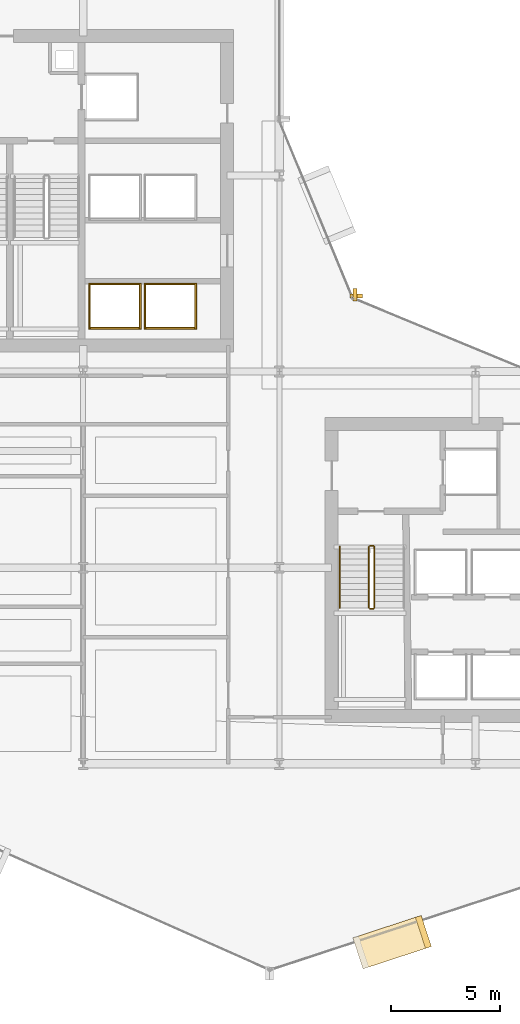
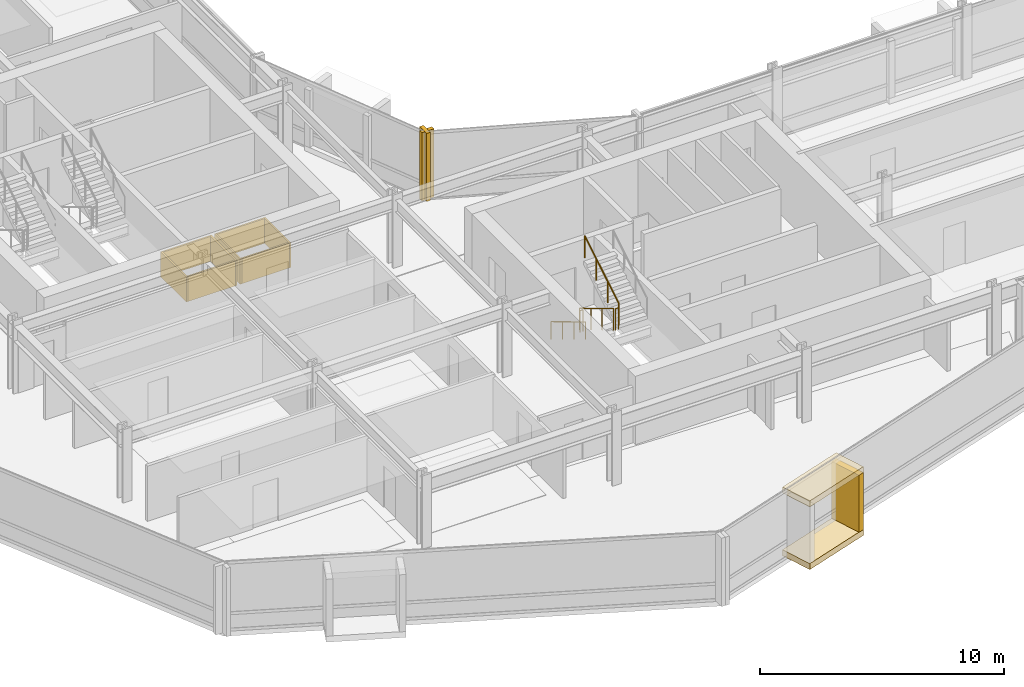
# One storey, part 31 of 34: 13 coverings, 5 railings.
"""IFC4 building model written with IfcOpenShell, lengths in metres."""

from ifc_helpers import new_model, si_unit, direction, frame, origin, origin_2d, place, context, subcontext, project, spatial, rectangle, circle, extrude, material, layer, layer_set, type_object, element, save


model = new_model("IFC4")

# Units and contexts
model_context = context("Model", 3, precision=1e-05, world=origin(), true_north=direction((0.0, 1.0)))
body_context = subcontext(model_context, "Body", "Model", "MODEL_VIEW")
ifc_project = project(units=[si_unit("LENGTHUNIT", "METRE"), si_unit("AREAUNIT", "SQUARE_METRE"), si_unit("VOLUMEUNIT", "CUBIC_METRE"), si_unit("PLANEANGLEUNIT", "RADIAN"), si_unit("MASSUNIT", "GRAM", prefix="KILO")], contexts=[model_context])

# Site, building, storey
site_placement = place(None, origin())
site = spatial("IfcSite", under=ifc_project, at=site_placement, CompositionType="ELEMENT")
building_placement = place(site_placement, origin())
building = spatial("IfcBuilding", under=site, at=building_placement, Name="Solvaryn Broadcast Tower", CompositionType="ELEMENT")
storey_placement = place(building_placement, frame((0.0, 0.0, 39.699951171875)))
storey = spatial("IfcBuildingStorey", under=building, at=storey_placement, Name="L08", CompositionType="ELEMENT", Elevation=39.699951171875)

# Coverings
ifc_material_1 = material(Name="Fire-Rated Gypsum Shaftwall Liner", Category="concrete")
ifc_layer_1 = layer(ifc_material_1, 0.080078125)
ifc_layer_set_1 = layer_set([ifc_layer_1], Name="CV-SHAFT-LINER")
covering_type_1 = type_object("IfcCoveringType", Name="CV-SHAFT-LINER", PredefinedType="CLADDING", material=ifc_layer_set_1)
for number, where, z_axis, x_axis, name in (
    (1, (19.449951171875, 31.014892578125, 0.0), (0.0, 0.0, 1.0), (1.0, 0.0, 0.0), "L08 PH1 Hoistway Shaft Liner North"),
    (2, (19.449951171875, 28.985107421875, 0.0), (0.0, 0.0, 1.0), (1.0, 0.0, 0.0), "L08 PH1 Hoistway Shaft Liner South"),
):
    element("IfcCovering", number, at=place(storey_placement, frame(where, z_axis=z_axis, x_axis=x_axis)), inside=storey, type_object=covering_type_1, Name=name, PredefinedType="CLADDING", context=body_context, shape_type="SweptSolid", body=[
        extrude(rectangle(XDim=2.409912109375, YDim=0.080078125, at=origin_2d()), origin(), (0.0, 0.0, 1.0), 1.25),
    ])
for number, where, z_axis, x_axis, name in (
    (3, (20.614990234375, 30.0, 0.0), (0.0, 0.0, 1.0), (1.0, 0.0, 0.0), "L08 PH1 Hoistway Shaft Liner East"),
    (4, (18.284912109375, 30.0, 0.0), (0.0, 0.0, 1.0), (1.0, 0.0, 0.0), "L08 PH1 Hoistway Shaft Liner West"),
):
    element("IfcCovering", number, at=place(storey_placement, frame(where, z_axis=z_axis, x_axis=x_axis)), inside=storey, type_object=covering_type_1, Name=name, PredefinedType="CLADDING", context=body_context, shape_type="SweptSolid", body=[
        extrude(rectangle(XDim=0.080078125, YDim=2.110107421875, at=origin_2d()), origin(), (0.0, 0.0, 1.0), 1.25),
    ])
for number, where, z_axis, x_axis, name in (
    (5, (22.0, 31.014892578125, 0.0), (0.0, 0.0, 1.0), (1.0, 0.0, 0.0), "L08 PH2 Hoistway Shaft Liner North"),
    (6, (22.0, 28.985107421875, 0.0), (0.0, 0.0, 1.0), (1.0, 0.0, 0.0), "L08 PH2 Hoistway Shaft Liner South"),
):
    element("IfcCovering", number, at=place(storey_placement, frame(where, z_axis=z_axis, x_axis=x_axis)), inside=storey, type_object=covering_type_1, Name=name, PredefinedType="CLADDING", context=body_context, shape_type="SweptSolid", body=[
        extrude(rectangle(XDim=2.409912109375, YDim=0.080078125, at=origin_2d()), origin(), (0.0, 0.0, 1.0), 1.25),
    ])
for number, where, z_axis, x_axis, name in (
    (7, (23.1650390625, 30.0, 0.0), (0.0, 0.0, 1.0), (1.0, 0.0, 0.0), "L08 PH2 Hoistway Shaft Liner East"),
    (8, (20.8349609375, 30.0, 0.0), (0.0, 0.0, 1.0), (1.0, 0.0, 0.0), "L08 PH2 Hoistway Shaft Liner West"),
):
    element("IfcCovering", number, at=place(storey_placement, frame(where, z_axis=z_axis, x_axis=x_axis)), inside=storey, type_object=covering_type_1, Name=name, PredefinedType="CLADDING", context=body_context, shape_type="SweptSolid", body=[
        extrude(rectangle(XDim=0.080078125, YDim=2.110107421875, at=origin_2d()), origin(), (0.0, 0.0, 1.0), 1.25),
    ])
ifc_material_2 = material(Name="Glazed Architectural Terracotta Rainscreen Cladding", Category="masonry")
ifc_layer_2 = layer(ifc_material_2, 0.280029296875)
ifc_layer_set_2 = layer_set([ifc_layer_2], Name="CV-TC-CLAD")
covering_type_2 = type_object("IfcCoveringType", Name="CV-TC-CLAD", PredefinedType="CLADDING", material=ifc_layer_set_2)
for number, where, z_axis, x_axis, name in (
    (9, (32.173095703125, 0.819091796875, 3.1298828125), (0.0, 0.0, 1.0), (0.950189870912, 0.311671636848, 0.0), "L08 Projecting Stone Window Box Hood 4"),
    (10, (32.173095703125, 0.819091796875, -0.009765625), (0.0, 0.0, 1.0), (0.950189870912, 0.311671636848, 0.0), "L08 Projecting Stone Window Box Sill 4"),
):
    element("IfcCovering", number, at=place(storey_placement, frame(where, z_axis=z_axis, x_axis=x_axis)), inside=storey, type_object=covering_type_2, Name=name, PredefinedType="CLADDING", context=body_context, shape_type="SweptSolid", body=[
        extrude(rectangle(XDim=3.300048828125, YDim=1.5, at=origin_2d()), origin(), (0.0, 0.0, 1.0), 0.300048828125),
    ])
covering_1_placement = place(storey_placement, frame((33.60791015625, 1.28955078125, 0.27978515625), z_axis=(0.0, 0.0, 1.0), x_axis=(0.950189870912, 0.311671636848, 0.0)))
element("IfcCovering", 11, at=covering_1_placement, inside=storey, type_object=covering_type_2, Name="L08 Projecting Stone Window Box Cheek 4-2", PredefinedType="CLADDING", context=body_context, shape_type="SweptSolid", body=[
    extrude(rectangle(XDim=0.280029296875, YDim=1.5, at=origin_2d()), origin(), (0.0, 0.0, 1.0), 2.860107421875),
])
ifc_material_3 = material(Name="Extruded Architectural Terracotta Fin", Category="masonry")
ifc_layer_3 = layer(ifc_material_3, 0.179931640625)
ifc_layer_set_3 = layer_set([ifc_layer_3], Name="CV-TC-FIN")
covering_type_3 = type_object("IfcCoveringType", Name="CV-TC-FIN", PredefinedType="USERDEFINED", material=ifc_layer_set_3)
covering_2_placement = place(storey_placement, frame((30.464599609375, 30.52294921875, 0.0), z_axis=(0.0, 0.0, 1.0), x_axis=(1.0, 0.0, 0.0)))
element("IfcCovering", 12, at=covering_2_placement, inside=storey, type_object=covering_type_3, Name="L08 Terracotta Vertical Fin FIN-L08-CN1-M01", ObjectType="FIN", PredefinedType="USERDEFINED", context=body_context, shape_type="SweptSolid", body=[
    extrude(rectangle(XDim=0.179931640625, YDim=0.580078125, at=origin_2d()), origin(), (0.0, 0.0, 1.0), 3.419921875),
])
covering_3_placement = place(storey_placement, frame((30.52294921875, 30.464599609375, 0.0), z_axis=(0.0, 0.0, 1.0), x_axis=(1.0, 0.0, 0.0)))
element("IfcCovering", 13, at=covering_3_placement, inside=storey, type_object=covering_type_3, Name="L08 Terracotta Vertical Fin FIN-L08-CN2-M00", ObjectType="FIN", PredefinedType="USERDEFINED", context=body_context, shape_type="SweptSolid", body=[
    extrude(rectangle(XDim=0.580078125, YDim=0.179931640625, at=origin_2d()), origin(), (0.0, 0.0, 1.0), 3.419921875),
])

# Railings
ifc_material_4 = material(Name="Painted Steel Stair Well Guard", Category="steel")
railing_type_1 = type_object("IfcRailingType", Name="RL-STAIR-GUARD", PredefinedType="BALUSTRADE", material=ifc_material_4)
railing_1_placement = place(storey_placement, frame((31.110107421875, 18.9599609375, 0.168212890625)))
element("IfcRailing", 14, at=railing_1_placement, inside=storey, type_object=railing_type_1, Name="L08 ST3 stair guard 1", PredefinedType="BALUSTRADE", context=body_context, shape_type="SweptSolid", body=[
    extrude(circle(Radius=0.02392578125, at=origin_2d()), frame((0.0, 0.0, 1.076171875), z_axis=(0.0, -0.857242210791, 0.514913383045), x_axis=(1.0, 0.0, 0.0)), (0.0, 0.0, 1.0), 3.266357421875),
    extrude(circle(Radius=0.02099609375, at=origin_2d()), origin(), (0.0, 0.0, 1.0), 1.052001953125),
    extrude(circle(Radius=0.02099609375, at=origin_2d()), frame((0.0, -0.933349609375, 0.560546875)), (0.0, 0.0, 1.0), 1.052001953125),
    extrude(circle(Radius=0.02099609375, at=origin_2d()), frame((0.0, -1.86669921875, 1.121337890625)), (0.0, 0.0, 1.0), 1.052001953125),
    extrude(circle(Radius=0.02099609375, at=origin_2d()), frame((0.0, -2.800048828125, 1.681884765625)), (0.0, 0.0, 1.0), 1.052001953125),
])
railing_2_placement = place(storey_placement, frame((31.159912109375, 16.110107421875, 1.85009765625)))
element("IfcRailing", 15, at=railing_2_placement, inside=storey, type_object=railing_type_1, Name="L08 ST3 stair guard 2", PredefinedType="BALUSTRADE", context=body_context, shape_type="SweptSolid", body=[
    extrude(circle(Radius=0.02392578125, at=origin_2d()), frame((0.0, 0.0, 1.076171875), z_axis=(1.0, 0.0, 0.0), x_axis=(0.0, 1.0, 0.0)), (0.0, 0.0, 1.0), 0.150146484375),
    extrude(circle(Radius=0.02099609375, at=origin_2d()), origin(), (0.0, 0.0, 1.0), 1.052001953125),
    extrude(circle(Radius=0.02099609375, at=origin_2d()), frame((0.150146484375, 0.0, 0.0)), (0.0, 0.0, 1.0), 1.052001953125),
])
railing_3_placement = place(storey_placement, frame((31.360107421875, 16.159912109375, 2.018310546875)))
element("IfcRailing", 16, at=railing_3_placement, inside=storey, type_object=railing_type_1, Name="L08 ST3 stair guard 3", PredefinedType="BALUSTRADE", context=body_context, shape_type="SweptSolid", body=[
    extrude(circle(Radius=0.02392578125, at=origin_2d()), frame((0.0, 0.0, 1.076171875), z_axis=(0.0, 0.857275202839, 0.514858452973), x_axis=(-1.0, 0.0, 0.0)), (0.0, 0.0, 1.0), 3.26611328125),
    extrude(circle(Radius=0.02099609375, at=origin_2d()), origin(), (0.0, 0.0, 1.0), 1.052001953125),
    extrude(circle(Radius=0.02099609375, at=origin_2d()), frame((0.0, 0.933349609375, 0.560546875)), (0.0, 0.0, 1.0), 1.052001953125),
    extrude(circle(Radius=0.02099609375, at=origin_2d()), frame((0.0, 1.86669921875, 1.12109375)), (0.0, 0.0, 1.0), 1.052001953125),
    extrude(circle(Radius=0.02099609375, at=origin_2d()), frame((0.0, 2.800048828125, 1.681640625)), (0.0, 0.0, 1.0), 1.052001953125),
])
railing_4_placement = place(storey_placement, frame((31.159912109375, 19.010009765625, 0.0)))
element("IfcRailing", 17, at=railing_4_placement, inside=storey, type_object=railing_type_1, Name="L08 ST3 stair guard 4", PredefinedType="BALUSTRADE", context=body_context, shape_type="SweptSolid", body=[
    extrude(circle(Radius=0.02392578125, at=origin_2d()), frame((0.0, 0.0, 1.076171875), z_axis=(1.0, 0.0, 0.0), x_axis=(0.0, 1.0, 0.0)), (0.0, 0.0, 1.0), 0.150146484375),
    extrude(circle(Radius=0.02099609375, at=origin_2d()), origin(), (0.0, 0.0, 1.0), 1.052001953125),
    extrude(circle(Radius=0.02099609375, at=origin_2d()), frame((0.150146484375, 0.0, 0.0)), (0.0, 0.0, 1.0), 1.052001953125),
])
ifc_material_5 = material(Name="Brushed Stainless Steel Tubular Handrail", Category="steel")
railing_type_2 = type_object("IfcRailingType", Name="RL-STAIR-HANDRAIL", PredefinedType="HANDRAIL", material=ifc_material_5)
railing_5_placement = place(storey_placement, frame((29.77001953125, 18.9599609375, 0.168212890625)))
element("IfcRailing", 18, at=railing_5_placement, inside=storey, type_object=railing_type_2, Name="L08 ST3 stair handrail 1", PredefinedType="HANDRAIL", context=body_context, shape_type="SweptSolid", body=[
    extrude(circle(Radius=0.02392578125, at=origin_2d()), frame((0.0, 0.0, 0.8759765625), z_axis=(0.0, -0.857242210791, 0.514913383045), x_axis=(1.0, 0.0, 0.0)), (0.0, 0.0, 1.0), 3.266357421875),
    extrude(circle(Radius=0.02099609375, at=origin_2d()), origin(), (0.0, 0.0, 1.0), 0.851806640625),
    extrude(circle(Radius=0.02099609375, at=origin_2d()), frame((0.0, -0.933349609375, 0.560546875)), (0.0, 0.0, 1.0), 0.851806640625),
    extrude(circle(Radius=0.02099609375, at=origin_2d()), frame((0.0, -1.86669921875, 1.121337890625)), (0.0, 0.0, 1.0), 0.851806640625),
    extrude(circle(Radius=0.02099609375, at=origin_2d()), frame((0.0, -2.800048828125, 1.681884765625)), (0.0, 0.0, 1.0), 0.851806640625),
])

save(model, "model.ifc")
